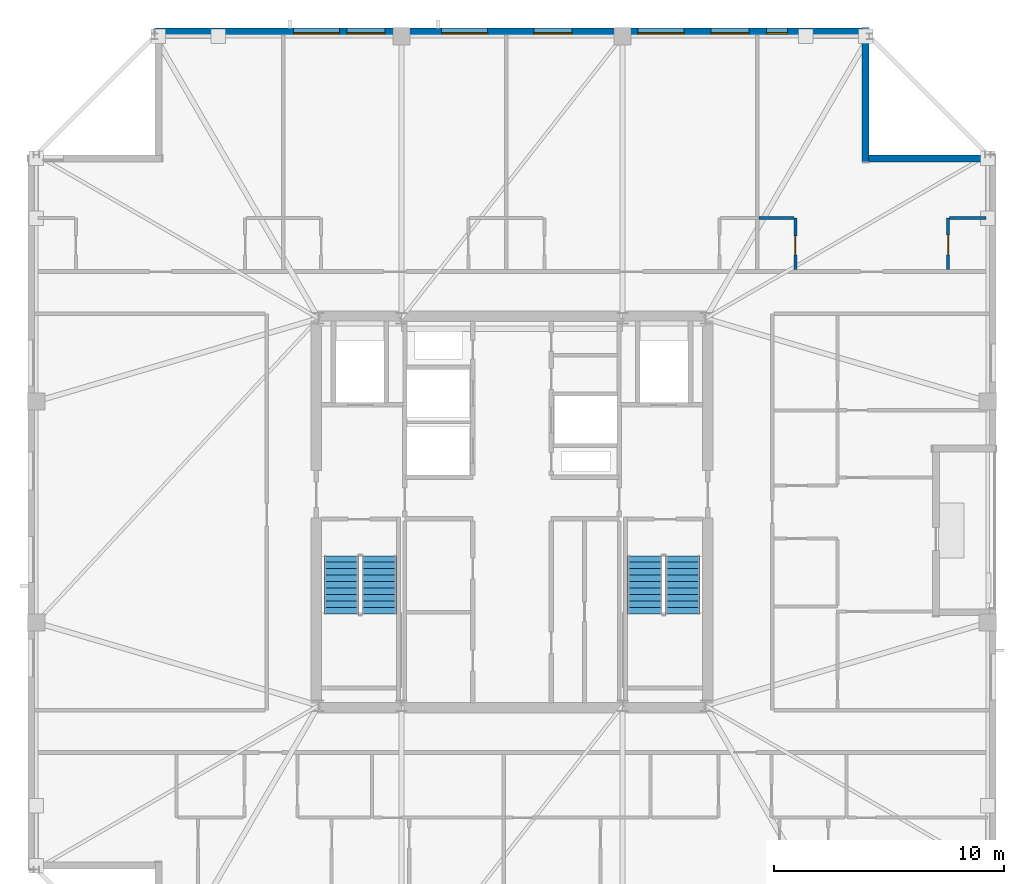
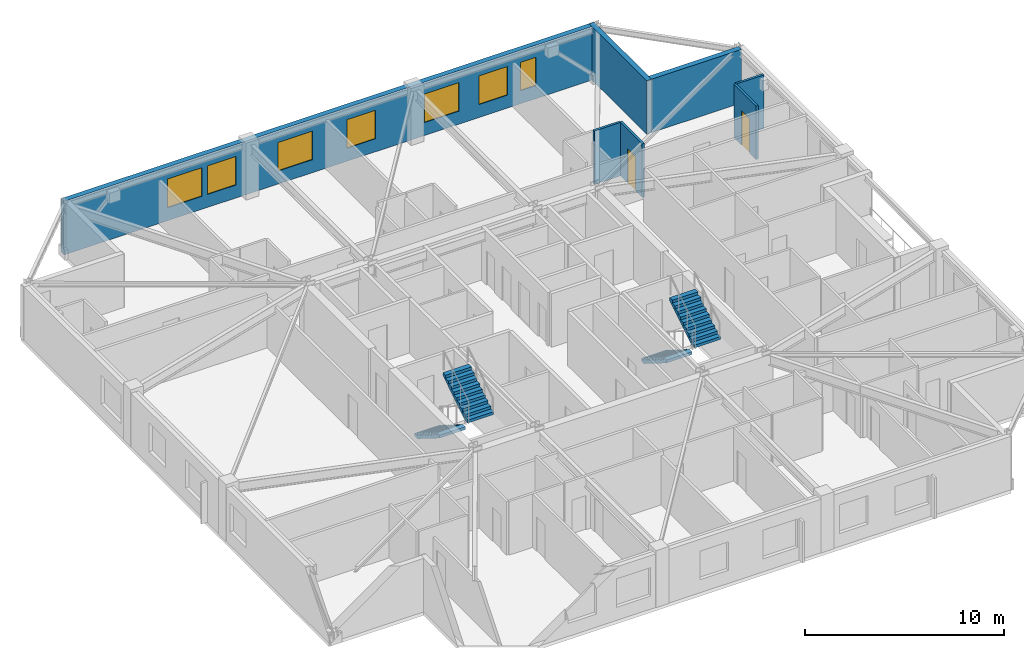
# One storey, part 11 of 14: 7 walls, 7 windows, 4 stair flights, 2 doors, 9 openings, 2 elements without a shape of their own.
"""IFC4 building model written with IfcOpenShell, lengths in metres."""

from ifc_helpers import new_model, si_unit, direction, frame, frame_2d, origin, place, context, subcontext, project, spatial, polyline, rectangle, outline, extrude, material, layer, layer_set, type_object, element, fill, aggregate, save


model = new_model("IFC4")

# Units and contexts
model_context = context("Model", 3, precision=1e-05, world=origin(), true_north=direction((0.0, 1.0)))
body_context = subcontext(model_context, "Body", "Model", "MODEL_VIEW")
ifc_project = project(units=[si_unit("LENGTHUNIT", "METRE"), si_unit("AREAUNIT", "SQUARE_METRE"), si_unit("VOLUMEUNIT", "CUBIC_METRE"), si_unit("PLANEANGLEUNIT", "RADIAN"), si_unit("MASSUNIT", "GRAM", prefix="KILO")], contexts=[model_context])

# Site, building, storey
site_placement = place(None, origin())
site = spatial("IfcSite", under=ifc_project, at=site_placement, CompositionType="ELEMENT")
building_placement = place(site_placement, origin())
building = spatial("IfcBuilding", under=site, at=building_placement, Name="Cairnveth Concourse Tower", CompositionType="ELEMENT")
storey_placement = place(building_placement, frame((0.0, 0.0, 301.5)))
storey = spatial("IfcBuildingStorey", under=building, at=storey_placement, Name="L83", CompositionType="ELEMENT", Elevation=301.5)

# Wall, opening, door
ifc_material_1 = material(Name="Gypsum Plasterboard Partition", Category="gypsum")
ifc_layer_1 = layer(ifc_material_1, 0.1298828125)
ifc_layer_set_1 = layer_set([ifc_layer_1], Name="Gypsum Plasterboard Partition")
wall_type_1 = type_object("IfcWallType", Name="WET AREA PARTITION 140", PredefinedType="PLUMBINGWALL", material=ifc_layer_set_1)
wall_1_placement = place(storey_placement, frame((64.297607421875, 49.514892578125, 0.0), z_axis=(0.0, 0.0, 1.0), x_axis=(0.0, 1.0, 0.0)))
wall_1 = element("IfcWall", 1, at=wall_1_placement, inside=storey, type_object=wall_type_1, Name="Interior Wall IW-L83-081", PredefinedType="PLUMBINGWALL", context=body_context, shape_type="SweptSolid", body=[
    extrude(rectangle(XDim=2.25, YDim=0.1298828125, at=frame_2d((1.125, 0.0))), origin(), (0.0, 0.0, 1.0), 3.2900390625),
])
opening_1_placement = place(wall_1_placement, frame((0.64990234375, 0.0, 0.0)))
opening_1 = element("IfcOpeningElement", 2, at=opening_1_placement, cuts=wall_1, Name="Opening ID22", PredefinedType="OPENING", context=body_context, shape_type="SweptSolid", body=[
    extrude(rectangle(XDim=0.820068359375, YDim=2.10009765625, at=frame_2d((0.41015625, 1.050048828125))), frame((0.0, 0.074951171875, 0.0), z_axis=(0.0, -1.0, 0.0), x_axis=(1.0, 0.0, 0.0)), (0.0, 0.0, 1.0), 0.14990234375),
])
ifc_material_2 = material(Name="Solid Core Hardwood Timber Leaf", Category="wood")
door_type_1 = type_object("IfcDoorType", Name="INTERIOR WC DOOR 820X2100", OperationType="NOTDEFINED", PredefinedType="DOOR", material=ifc_material_2)
door_1_placement = place(opening_1_placement, origin())
door_1 = element("IfcDoor", 3, at=door_1_placement, inside=storey, type_object=door_type_1, Name="L83STN4 Bathroom Door", OperationType="SINGLE_SWING_RIGHT", OverallHeight=2.10009765625, OverallWidth=0.820068359375, PredefinedType="DOOR", context=body_context, shape_type="SweptSolid", body=[
    extrude(rectangle(XDim=0.820068359375, YDim=2.10009765625, at=frame_2d((0.41015625, 1.050048828125))), frame((0.0, 0.02490234375, 0.0), z_axis=(0.0, -1.0, 0.0), x_axis=(1.0, 0.0, 0.0)), (0.0, 0.0, 1.0), 0.050048828125),
])
fill(opening_1, door_1)

# Wall
wall_2_placement = place(storey_placement, frame((62.71240234375, 51.764892578125, 0.0), z_axis=(0.0, 0.0, 1.0), x_axis=(1.0, 0.0, 0.0)))
element("IfcWall", 4, at=wall_2_placement, inside=storey, type_object=wall_type_1, Name="Interior Wall IW-L83-082", PredefinedType="PLUMBINGWALL", context=body_context, shape_type="SweptSolid", body=[
    extrude(rectangle(XDim=1.53515625, YDim=0.1298828125, at=frame_2d((0.767578125, 0.0))), origin(), (0.0, 0.0, 1.0), 3.2900390625),
])

# Wall, opening, door
wall_3_placement = place(storey_placement, frame((70.929931640625, 49.514892578125, 0.0), z_axis=(0.0, 0.0, 1.0), x_axis=(0.0, 1.0, 0.0)))
wall_3 = element("IfcWall", 5, at=wall_3_placement, inside=storey, type_object=wall_type_1, Name="Interior Wall IW-L83-083", PredefinedType="PLUMBINGWALL", context=body_context, shape_type="SweptSolid", body=[
    extrude(rectangle(XDim=2.25, YDim=0.1298828125, at=frame_2d((1.125, 0.0))), origin(), (0.0, 0.0, 1.0), 3.2900390625),
])
opening_2_placement = place(wall_3_placement, frame((0.64990234375, 0.0, 0.0)))
opening_2 = element("IfcOpeningElement", 6, at=opening_2_placement, cuts=wall_3, Name="Opening ID20", PredefinedType="OPENING", context=body_context, shape_type="SweptSolid", body=[
    extrude(rectangle(XDim=0.85009765625, YDim=2.10009765625, at=frame_2d((0.425048828125, 1.050048828125))), frame((0.0, 0.074951171875, 0.0), z_axis=(0.0, -1.0, 0.0), x_axis=(1.0, 0.0, 0.0)), (0.0, 0.0, 1.0), 0.14990234375),
])
door_type_2 = type_object("IfcDoorType", Name="INTERIOR SINGLE DOOR 850X2100", OperationType="NOTDEFINED", PredefinedType="DOOR", material=ifc_material_2)
door_2_placement = place(opening_2_placement, origin())
door_2 = element("IfcDoor", 7, at=door_2_placement, inside=storey, type_object=door_type_2, Name="L83STN4 Kitchen Door", OperationType="SINGLE_SWING_LEFT", OverallHeight=2.10009765625, OverallWidth=0.85009765625, PredefinedType="DOOR", context=body_context, shape_type="SweptSolid", body=[
    extrude(rectangle(XDim=0.85009765625, YDim=2.10009765625, at=frame_2d((0.425048828125, 1.050048828125))), frame((0.0, 0.02490234375, 0.0), z_axis=(0.0, -1.0, 0.0), x_axis=(1.0, 0.0, 0.0)), (0.0, 0.0, 1.0), 0.050048828125),
])
fill(opening_2, door_2)

# Wall
wall_4_placement = place(storey_placement, frame((70.97998046875, 51.764892578125, 0.0), z_axis=(0.0, 0.0, 1.0), x_axis=(1.0, 0.0, 0.0)))
element("IfcWall", 8, at=wall_4_placement, inside=storey, type_object=wall_type_1, Name="Interior Wall IW-L83-084", PredefinedType="PLUMBINGWALL", context=body_context, shape_type="SweptSolid", body=[
    extrude(rectangle(XDim=1.60009765625, YDim=0.1298828125, at=frame_2d((0.800048828125, 0.0))), origin(), (0.0, 0.0, 1.0), 3.2900390625),
])

# Wall, openings, windows
ifc_material_3 = material(Name="Hawthorn Red-Ochre Fired Clay Brick Masonry", Category="masonry")
ifc_layer_2 = layer(ifc_material_3, 0.300048828125)
ifc_layer_set_2 = layer_set([ifc_layer_2], Name="Hawthorn Red-Ochre Fired Clay Brick Masonry")
wall_type_2 = type_object("IfcWallType", Name="ZONE 4 BRICK PIER SPANDREL WALL 300", PredefinedType="SOLIDWALL", material=ifc_layer_set_2)
wall_5_placement = place(storey_placement, frame((36.5, 59.85009765625, 0.0), z_axis=(0.0, 0.0, 1.0), x_axis=(1.0, 0.0, 0.0)))
wall_5 = element("IfcWall", 9, at=wall_5_placement, inside=storey, type_object=wall_type_2, Name="Exterior Wall EW-L83-S09", PredefinedType="SOLIDWALL", context=body_context, shape_type="SweptSolid", body=[
    extrude(rectangle(XDim=30.721923828125, YDim=0.300048828125, at=frame_2d((15.36083984375, 0.0))), origin(), (0.0, 0.0, 1.0), 3.2900390625),
])
opening_3_placement = place(wall_5_placement, frame((6.0185546875, 0.0, 0.800048828125)))
opening_3 = element("IfcOpeningElement", 10, at=opening_3_placement, cuts=wall_5, Name="Opening W09", PredefinedType="OPENING", context=body_context, shape_type="SweptSolid", body=[
    extrude(rectangle(XDim=2.0, YDim=1.758056640625, at=frame_2d((1.0, 0.87890625))), frame((0.0, 0.159912109375, 0.0), z_axis=(0.0, -1.0, 0.0), x_axis=(1.0, 0.0, 0.0)), (0.0, 0.0, 1.0), 0.320068359375),
])
opening_4_placement = place(wall_5_placement, frame((8.33056640625, 0.0, 0.800048828125)))
opening_4 = element("IfcOpeningElement", 11, at=opening_4_placement, cuts=wall_5, Name="Opening W04", PredefinedType="OPENING", context=body_context, shape_type="SweptSolid", body=[
    extrude(rectangle(XDim=1.64990234375, YDim=1.758056640625, at=frame_2d((0.824951171875, 0.87890625))), frame((0.0, 0.159912109375, 0.0), z_axis=(0.0, -1.0, 0.0), x_axis=(1.0, 0.0, 0.0)), (0.0, 0.0, 1.0), 0.320068359375),
])
opening_5_placement = place(wall_5_placement, frame((12.4423828125, 0.0, 0.800048828125)))
opening_5 = element("IfcOpeningElement", 12, at=opening_5_placement, cuts=wall_5, Name="Opening W09", PredefinedType="OPENING", context=body_context, shape_type="SweptSolid", body=[
    extrude(rectangle(XDim=2.0, YDim=1.758056640625, at=frame_2d((1.0, 0.87890625))), frame((0.0, 0.159912109375, 0.0), z_axis=(0.0, -1.0, 0.0), x_axis=(1.0, 0.0, 0.0)), (0.0, 0.0, 1.0), 0.320068359375),
])
opening_6_placement = place(wall_5_placement, frame((16.45458984375, 0.0, 0.800048828125)))
opening_6 = element("IfcOpeningElement", 13, at=opening_6_placement, cuts=wall_5, Name="Opening W04", PredefinedType="OPENING", context=body_context, shape_type="SweptSolid", body=[
    extrude(rectangle(XDim=1.64990234375, YDim=1.758056640625, at=frame_2d((0.824951171875, 0.87890625))), frame((0.0, 0.159912109375, 0.0), z_axis=(0.0, -1.0, 0.0), x_axis=(1.0, 0.0, 0.0)), (0.0, 0.0, 1.0), 0.320068359375),
])
opening_7_placement = place(wall_5_placement, frame((20.966552734375, 0.0, 0.800048828125)))
opening_7 = element("IfcOpeningElement", 14, at=opening_7_placement, cuts=wall_5, Name="Opening W09", PredefinedType="OPENING", context=body_context, shape_type="SweptSolid", body=[
    extrude(rectangle(XDim=2.0, YDim=1.758056640625, at=frame_2d((1.0, 0.87890625))), frame((0.0, 0.159912109375, 0.0), z_axis=(0.0, -1.0, 0.0), x_axis=(1.0, 0.0, 0.0)), (0.0, 0.0, 1.0), 0.320068359375),
])
opening_8_placement = place(wall_5_placement, frame((24.12841796875, 0.0, 0.800048828125)))
opening_8 = element("IfcOpeningElement", 15, at=opening_8_placement, cuts=wall_5, Name="Opening W04", PredefinedType="OPENING", context=body_context, shape_type="SweptSolid", body=[
    extrude(rectangle(XDim=1.64990234375, YDim=1.758056640625, at=frame_2d((0.824951171875, 0.87890625))), frame((0.0, 0.159912109375, 0.0), z_axis=(0.0, -1.0, 0.0), x_axis=(1.0, 0.0, 0.0)), (0.0, 0.0, 1.0), 0.320068359375),
])
opening_9_placement = place(wall_5_placement, frame((26.550048828125, 0.0, 0.800048828125)))
opening_9 = element("IfcOpeningElement", 16, at=opening_9_placement, cuts=wall_5, Name="Opening W13", PredefinedType="OPENING", context=body_context, shape_type="SweptSolid", body=[
    extrude(rectangle(XDim=0.89990234375, YDim=1.75, at=frame_2d((0.449951171875, 0.875))), frame((0.0, 0.159912109375, 0.0), z_axis=(0.0, -1.0, 0.0), x_axis=(1.0, 0.0, 0.0)), (0.0, 0.0, 1.0), 0.320068359375),
])
ifc_material_4 = material(Name="Double Glazed Low-E Clear Glass", Category="glass")
window_type_1 = type_object("IfcWindowType", Name="DEEP-SET BEDROOM LANCET WINDOW 900X1750", PartitioningType="DOUBLE_PANEL_VERTICAL", PredefinedType="WINDOW", material=ifc_material_4)
window_1_placement = place(opening_9_placement, origin())
window_1 = element("IfcWindow", 17, at=window_1_placement, inside=storey, type_object=window_type_1, Name="Dwelling Lancet Window L83-DW4", OverallHeight=1.75, OverallWidth=0.89990234375, PartitioningType="SINGLE_PANEL", PredefinedType="WINDOW", context=body_context, shape_type="SweptSolid", body=[
    extrude(rectangle(XDim=0.89990234375, YDim=1.75, at=frame_2d((0.449951171875, 0.875))), frame((0.0, -0.0400390625, 0.0), z_axis=(0.0, -1.0, 0.0), x_axis=(1.0, 0.0, 0.0)), (0.0, 0.0, 1.0), 0.06005859375),
])
fill(opening_9, window_1)
window_type_2 = type_object("IfcWindowType", Name="DEEP-SET GOTHIC LANCET WINDOW 1650X1850", PartitioningType="DOUBLE_PANEL_VERTICAL", PredefinedType="WINDOW", material=ifc_material_4)
window_2_placement = place(opening_4_placement, origin())
window_2 = element("IfcWindow", 18, at=window_2_placement, inside=storey, type_object=window_type_2, Name="Gothic Lancet Window L83-9-2", OverallHeight=1.758056640625, OverallWidth=1.64990234375, PartitioningType="SINGLE_PANEL", PredefinedType="WINDOW", context=body_context, shape_type="SweptSolid", body=[
    extrude(rectangle(XDim=1.64990234375, YDim=1.758056640625, at=frame_2d((0.824951171875, 0.87890625))), frame((0.0, -0.050048828125, 0.0), z_axis=(0.0, -1.0, 0.0), x_axis=(1.0, 0.0, 0.0)), (0.0, 0.0, 1.0), 0.06005859375),
])
fill(opening_4, window_2)
window_3_placement = place(opening_6_placement, origin())
window_3 = element("IfcWindow", 19, at=window_3_placement, inside=storey, type_object=window_type_2, Name="Gothic Lancet Window L83-9-4", OverallHeight=1.758056640625, OverallWidth=1.64990234375, PartitioningType="SINGLE_PANEL", PredefinedType="WINDOW", context=body_context, shape_type="SweptSolid", body=[
    extrude(rectangle(XDim=1.64990234375, YDim=1.758056640625, at=frame_2d((0.824951171875, 0.87890625))), frame((0.0, -0.050048828125, 0.0), z_axis=(0.0, -1.0, 0.0), x_axis=(1.0, 0.0, 0.0)), (0.0, 0.0, 1.0), 0.06005859375),
])
fill(opening_6, window_3)
window_4_placement = place(opening_8_placement, origin())
window_4 = element("IfcWindow", 20, at=window_4_placement, inside=storey, type_object=window_type_2, Name="Gothic Lancet Window L83-9-6", OverallHeight=1.758056640625, OverallWidth=1.64990234375, PartitioningType="SINGLE_PANEL", PredefinedType="WINDOW", context=body_context, shape_type="SweptSolid", body=[
    extrude(rectangle(XDim=1.64990234375, YDim=1.758056640625, at=frame_2d((0.824951171875, 0.87890625))), frame((0.0, -0.050048828125, 0.0), z_axis=(0.0, -1.0, 0.0), x_axis=(1.0, 0.0, 0.0)), (0.0, 0.0, 1.0), 0.06005859375),
])
fill(opening_8, window_4)
window_type_3 = type_object("IfcWindowType", Name="DEEP-SET PENTHOUSE LANCET WINDOW 2000X1850", PartitioningType="DOUBLE_PANEL_VERTICAL", PredefinedType="WINDOW", material=ifc_material_4)
window_5_placement = place(opening_3_placement, origin())
window_5 = element("IfcWindow", 21, at=window_5_placement, inside=storey, type_object=window_type_3, Name="Gothic Lancet Window L83-9-1", OverallHeight=1.758056640625, OverallWidth=2.0, PartitioningType="SINGLE_PANEL", PredefinedType="WINDOW", context=body_context, shape_type="SweptSolid", body=[
    extrude(rectangle(XDim=2.0, YDim=1.758056640625, at=frame_2d((1.0, 0.87890625))), frame((0.0, -0.050048828125, 0.0), z_axis=(0.0, -1.0, 0.0), x_axis=(1.0, 0.0, 0.0)), (0.0, 0.0, 1.0), 0.06005859375),
])
fill(opening_3, window_5)
window_6_placement = place(opening_5_placement, origin())
window_6 = element("IfcWindow", 22, at=window_6_placement, inside=storey, type_object=window_type_3, Name="Gothic Lancet Window L83-9-3", OverallHeight=1.758056640625, OverallWidth=2.0, PartitioningType="SINGLE_PANEL", PredefinedType="WINDOW", context=body_context, shape_type="SweptSolid", body=[
    extrude(rectangle(XDim=2.0, YDim=1.758056640625, at=frame_2d((1.0, 0.87890625))), frame((0.0, -0.050048828125, 0.0), z_axis=(0.0, -1.0, 0.0), x_axis=(1.0, 0.0, 0.0)), (0.0, 0.0, 1.0), 0.06005859375),
])
fill(opening_5, window_6)
window_7_placement = place(opening_7_placement, origin())
window_7 = element("IfcWindow", 23, at=window_7_placement, inside=storey, type_object=window_type_3, Name="Gothic Lancet Window L83-9-5", OverallHeight=1.758056640625, OverallWidth=2.0, PartitioningType="SINGLE_PANEL", PredefinedType="WINDOW", context=body_context, shape_type="SweptSolid", body=[
    extrude(rectangle(XDim=2.0, YDim=1.758056640625, at=frame_2d((1.0, 0.87890625))), frame((0.0, -0.050048828125, 0.0), z_axis=(0.0, -1.0, 0.0), x_axis=(1.0, 0.0, 0.0)), (0.0, 0.0, 1.0), 0.06005859375),
])
fill(opening_7, window_7)

# Walls
wall_6_placement = place(storey_placement, frame((67.35009765625, 60.0, 0.0), z_axis=(0.0, 0.0, 1.0), x_axis=(0.0, -1.0, 0.0)))
element("IfcWall", 24, at=wall_6_placement, inside=storey, type_object=wall_type_2, Name="Exterior Wall EW-L83-S10", PredefinedType="SOLIDWALL", context=body_context, shape_type="SweptSolid", body=[
    extrude(rectangle(XDim=5.800048828125, YDim=0.300048828125, at=frame_2d((2.89990234375, 0.0))), origin(), (0.0, 0.0, 1.0), 3.2900390625),
])
wall_7_placement = place(storey_placement, frame((67.47802734375, 54.35009765625, 0.0), z_axis=(0.0, 0.0, 1.0), x_axis=(1.0, 0.0, 0.0)))
element("IfcWall", 25, at=wall_7_placement, inside=storey, type_object=wall_type_2, Name="Exterior Wall EW-L83-S11", PredefinedType="SOLIDWALL", context=body_context, shape_type="SweptSolid", body=[
    extrude(rectangle(XDim=5.243896484375, YDim=0.300048828125, at=frame_2d((2.6220703125, 0.0))), origin(), (0.0, 0.0, 1.0), 3.2900390625),
])

# Stair, stair flights
ifc_material_5 = material(Name="Precast concrete N50 (50 MPa)", Category="concrete")
stair_type = type_object("IfcStairType", Name="CORE DOG-LEG FIRE STAIR 1500", PredefinedType="HALF_TURN_STAIR", material=ifc_material_5)
stair_1_placement = place(storey_placement, origin())
stair_1 = element("IfcStair", 26, at=stair_1_placement, inside=storey, type_object=stair_type, Name="L83 Fire-Isolated Stair ST-1", PredefinedType="HALF_TURN_STAIR")
stair_flight_type = type_object("IfcStairFlightType", Name="PRECAST CONCRETE STAIR FLIGHT 1500", PredefinedType="STRAIGHT", material=ifc_material_5)
stair_flight_1_placement = place(storey_placement, frame((44.590087890625, 37.10009765625, 0.0), z_axis=(0.0, 0.0, 1.0), x_axis=(0.0, -1.0, 0.0)))
stair_flight_1 = element("IfcStairFlight", 27, at=stair_flight_1_placement, type_object=stair_flight_type, Name="ST-1 flight 1", NumberOfRisers=10, NumberOfTreads=9, PredefinedType="STRAIGHT", RiserHeight=0.175, TreadLength=0.28, context=body_context, shape_type="SweptSolid", body=[
    extrude(outline(polyline([(0.0, 0.0), (0.0, 0.175048828125), (0.280029296875, 0.175048828125), (0.280029296875, 0.35009765625), (0.56005859375, 0.35009765625), (0.56005859375, 0.52490234375), (0.840087890625, 0.52490234375), (0.840087890625, 0.699951171875), (1.1201171875, 0.699951171875), (1.1201171875, 0.875), (1.39990234375, 0.875), (1.39990234375, 1.050048828125), (1.679931640625, 1.050048828125), (1.679931640625, 1.22509765625), (1.9599609375, 1.22509765625), (1.9599609375, 1.39990234375), (2.239990234375, 1.39990234375), (2.239990234375, 1.574951171875), (2.52001953125, 1.574951171875), (2.52001953125, 1.75), (2.52001953125, 1.398193359375), (0.28271484375, 0.0), (0.0, 0.0)])), frame((0.0, 0.75, 0.0), z_axis=(0.0, -1.0, 0.0), x_axis=(1.0, 0.0, 0.0)), (0.0, 0.0, 1.0), 1.5),
])
stair_flight_2_placement = place(storey_placement, frame((46.22998046875, 34.580078125, 1.75), z_axis=(0.0, 0.0, 1.0), x_axis=(0.0, 1.0, 0.0)))
stair_flight_2 = element("IfcStairFlight", 28, at=stair_flight_2_placement, type_object=stair_flight_type, Name="ST-1 flight 2", NumberOfRisers=10, NumberOfTreads=9, PredefinedType="STRAIGHT", RiserHeight=0.175, TreadLength=0.28, context=body_context, shape_type="SweptSolid", body=[
    extrude(outline(polyline([(0.0, 0.0), (0.0, 0.175048828125), (0.280029296875, 0.175048828125), (0.280029296875, 0.35009765625), (0.56005859375, 0.35009765625), (0.56005859375, 0.52490234375), (0.840087890625, 0.52490234375), (0.840087890625, 0.699951171875), (1.1201171875, 0.699951171875), (1.1201171875, 0.875), (1.39990234375, 0.875), (1.39990234375, 1.050048828125), (1.679931640625, 1.050048828125), (1.679931640625, 1.22509765625), (1.9599609375, 1.22509765625), (1.9599609375, 1.39990234375), (2.239990234375, 1.39990234375), (2.239990234375, 1.574951171875), (2.52001953125, 1.574951171875), (2.52001953125, 1.75), (2.52001953125, 1.398193359375), (0.28271484375, 0.0), (0.0, 0.0)])), frame((0.0, 0.75, 0.0), z_axis=(0.0, -1.0, 0.0), x_axis=(1.0, 0.0, 0.0)), (0.0, 0.0, 1.0), 1.5),
])
aggregate(stair_1, [stair_flight_1, stair_flight_2])

stair_2_placement = place(storey_placement, origin())
stair_2 = element("IfcStair", 29, at=stair_2_placement, inside=storey, type_object=stair_type, Name="L83 Fire-Isolated Stair ST-2", PredefinedType="HALF_TURN_STAIR")
stair_flight_3_placement = place(storey_placement, frame((57.77001953125, 37.10009765625, 0.0), z_axis=(0.0, 0.0, 1.0), x_axis=(0.0, -1.0, 0.0)))
stair_flight_3 = element("IfcStairFlight", 30, at=stair_flight_3_placement, type_object=stair_flight_type, Name="ST-2 flight 1", NumberOfRisers=10, NumberOfTreads=9, PredefinedType="STRAIGHT", RiserHeight=0.175, TreadLength=0.28, context=body_context, shape_type="SweptSolid", body=[
    extrude(outline(polyline([(0.0, 0.0), (0.0, 0.175048828125), (0.280029296875, 0.175048828125), (0.280029296875, 0.35009765625), (0.56005859375, 0.35009765625), (0.56005859375, 0.52490234375), (0.840087890625, 0.52490234375), (0.840087890625, 0.699951171875), (1.1201171875, 0.699951171875), (1.1201171875, 0.875), (1.39990234375, 0.875), (1.39990234375, 1.050048828125), (1.679931640625, 1.050048828125), (1.679931640625, 1.22509765625), (1.9599609375, 1.22509765625), (1.9599609375, 1.39990234375), (2.239990234375, 1.39990234375), (2.239990234375, 1.574951171875), (2.52001953125, 1.574951171875), (2.52001953125, 1.75), (2.52001953125, 1.398193359375), (0.28271484375, 0.0), (0.0, 0.0)])), frame((0.0, 0.75, 0.0), z_axis=(0.0, -1.0, 0.0), x_axis=(1.0, 0.0, 0.0)), (0.0, 0.0, 1.0), 1.5),
])
stair_flight_4_placement = place(storey_placement, frame((59.409912109375, 34.580078125, 1.75), z_axis=(0.0, 0.0, 1.0), x_axis=(0.0, 1.0, 0.0)))
stair_flight_4 = element("IfcStairFlight", 31, at=stair_flight_4_placement, type_object=stair_flight_type, Name="ST-2 flight 2", NumberOfRisers=10, NumberOfTreads=9, PredefinedType="STRAIGHT", RiserHeight=0.175, TreadLength=0.28, context=body_context, shape_type="SweptSolid", body=[
    extrude(outline(polyline([(0.0, 0.0), (0.0, 0.175048828125), (0.280029296875, 0.175048828125), (0.280029296875, 0.35009765625), (0.56005859375, 0.35009765625), (0.56005859375, 0.52490234375), (0.840087890625, 0.52490234375), (0.840087890625, 0.699951171875), (1.1201171875, 0.699951171875), (1.1201171875, 0.875), (1.39990234375, 0.875), (1.39990234375, 1.050048828125), (1.679931640625, 1.050048828125), (1.679931640625, 1.22509765625), (1.9599609375, 1.22509765625), (1.9599609375, 1.39990234375), (2.239990234375, 1.39990234375), (2.239990234375, 1.574951171875), (2.52001953125, 1.574951171875), (2.52001953125, 1.75), (2.52001953125, 1.398193359375), (0.28271484375, 0.0), (0.0, 0.0)])), frame((0.0, 0.75, 0.0), z_axis=(0.0, -1.0, 0.0), x_axis=(1.0, 0.0, 0.0)), (0.0, 0.0, 1.0), 1.5),
])
aggregate(stair_2, [stair_flight_3, stair_flight_4])

save(model, "model.ifc")
